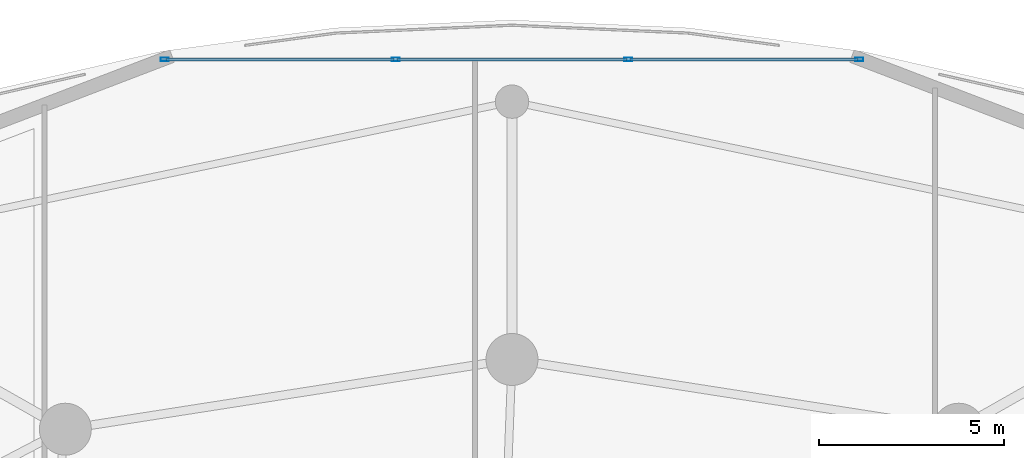
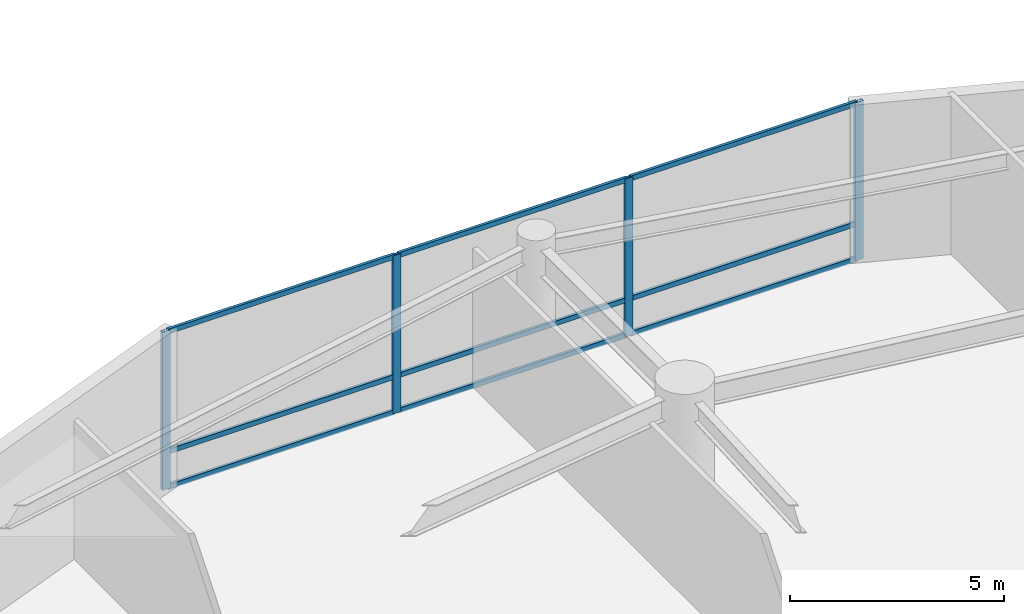
# One storey, part 22 of 40: 13 members, 1 element without a shape of its own.
"""IFC4 building model written with IfcOpenShell, lengths in metres."""

from ifc_helpers import new_model, si_unit, direction, frame, origin, origin_2d, place, context, subcontext, project, spatial, hollow_rectangle, extrude, material, layer, layer_set, material_profile, profile_set, type_object, element, aggregate, save


model = new_model("IFC4")

# Units and contexts
model_context = context("Model", 3, precision=1e-05, world=origin(), true_north=direction((0.0, 1.0)))
body_context = subcontext(model_context, "Body", "Model", "MODEL_VIEW")
ifc_project = project(units=[si_unit("LENGTHUNIT", "METRE"), si_unit("AREAUNIT", "SQUARE_METRE"), si_unit("VOLUMEUNIT", "CUBIC_METRE"), si_unit("PLANEANGLEUNIT", "RADIAN"), si_unit("MASSUNIT", "GRAM", prefix="KILO")], contexts=[model_context])

# Site, building, storey
site_placement = place(None, origin())
site = spatial("IfcSite", under=ifc_project, at=site_placement, CompositionType="ELEMENT")
building_placement = place(site_placement, origin())
building = spatial("IfcBuilding", under=site, at=building_placement, Name="Kazevale Care Tower and Concert Hall", CompositionType="ELEMENT")
storey_placement = place(building_placement, frame((0.0, 0.0, 9.60009765625)))
storey = spatial("IfcBuildingStorey", under=building, at=storey_placement, Name="L02", CompositionType="ELEMENT", Elevation=9.60009765625)

# Curtain wall, members
ifc_material_1 = material(Name="Aluminium 6063-T6 and Low-E Glass", Category="aluminium")
ifc_layer = layer(ifc_material_1, 0.179931640625)
ifc_layer_set = layer_set([ifc_layer], Name="Aluminium 6063-T6 and Low-E Glass")
curtain_wall_type = type_object("IfcCurtainWallType", Name="Podium Double-Skin Medical Curtain Wall CW-1", PredefinedType="NOTDEFINED", material=ifc_layer_set)
curtain_wall_placement = place(storey_placement, origin())
curtain_wall = element("IfcCurtainWall", 1, at=curtain_wall_placement, inside=storey, type_object=curtain_wall_type, Name="cw:L02:pod:04", PredefinedType="NOTDEFINED")
ifc_material_2 = material(Name="Aluminium 6063-T6", Category="aluminium")
ifc_material_profile_1 = material_profile(ifc_material_2, hollow_rectangle(XDim=0.090087890625, YDim=0.219970703125, WallThickness=0.0048828125, at=origin_2d()), Name="ALU90x220x5")
ifc_profile_set_1 = profile_set([ifc_material_profile_1], Name="Aluminium 6063-T6")
member_type_1 = type_object("IfcMemberType", Name="CW-1 Mullion ALU90x220x5", PredefinedType="MULLION", material=ifc_profile_set_1)
member_1_placement = place(storey_placement, frame((54.363037109375, 70.738037109375, 0.0), z_axis=(0.0, 0.0, 1.0), x_axis=(0.0, -1.0, 0.0)))
member_1 = element("IfcMember", 2, at=member_1_placement, type_object=member_type_1, Name="CW-1 mullion 1", PredefinedType="MULLION", context=body_context, shape_type="SweptSolid", body=[
    extrude(hollow_rectangle(XDim=0.090087890625, YDim=0.219970703125, WallThickness=0.0048828125, at=origin_2d()), origin(), (0.0, 0.0, 1.0), 4.52001953125),
])
member_2_placement = place(storey_placement, frame((48.135986328125, 70.738037109375, 0.0), z_axis=(0.0, 0.0, 1.0), x_axis=(0.0, -1.0, 0.0)))
member_2 = element("IfcMember", 3, at=member_2_placement, type_object=member_type_1, Name="CW-1 mullion 2", PredefinedType="MULLION", context=body_context, shape_type="SweptSolid", body=[
    extrude(hollow_rectangle(XDim=0.090087890625, YDim=0.219970703125, WallThickness=0.0048828125, at=origin_2d()), origin(), (0.0, 0.0, 1.0), 4.52001953125),
])
member_3_placement = place(storey_placement, frame((41.864013671875, 70.738037109375, 0.0), z_axis=(0.0, 0.0, 1.0), x_axis=(0.0, -1.0, 0.0)))
member_3 = element("IfcMember", 4, at=member_3_placement, type_object=member_type_1, Name="CW-1 mullion 3", PredefinedType="MULLION", context=body_context, shape_type="SweptSolid", body=[
    extrude(hollow_rectangle(XDim=0.090087890625, YDim=0.219970703125, WallThickness=0.0048828125, at=origin_2d()), origin(), (0.0, 0.0, 1.0), 4.52001953125),
])
member_4_placement = place(storey_placement, frame((35.636962890625, 70.738037109375, 0.0), z_axis=(0.0, 0.0, 1.0), x_axis=(0.0, -1.0, 0.0)))
member_4 = element("IfcMember", 5, at=member_4_placement, type_object=member_type_1, Name="CW-1 mullion 4", PredefinedType="MULLION", context=body_context, shape_type="SweptSolid", body=[
    extrude(hollow_rectangle(XDim=0.090087890625, YDim=0.219970703125, WallThickness=0.0048828125, at=origin_2d()), origin(), (0.0, 0.0, 1.0), 4.52001953125),
])
ifc_material_profile_2 = material_profile(ifc_material_2, hollow_rectangle(XDim=0.080078125, YDim=0.139892578125, WallThickness=0.00390625, at=origin_2d()), Name="ALU80x140x4")
ifc_profile_set_2 = profile_set([ifc_material_profile_2], Name="Aluminium 6063-T6")
member_type_2 = type_object("IfcMemberType", Name="CW-1 Transom ALU80x140x4", PredefinedType="USERDEFINED", material=ifc_profile_set_2)
member_5_placement = place(storey_placement, frame((54.318115234375, 70.738037109375, 0.039794921875), z_axis=(-1.0, 0.0, 0.0), x_axis=(0.0, -1.0, 0.0)))
member_5 = element("IfcMember", 6, at=member_5_placement, type_object=member_type_2, Name="CW-1 transom 1.1", ObjectType="TRANSOM", PredefinedType="USERDEFINED", context=body_context, shape_type="SweptSolid", body=[
    extrude(hollow_rectangle(XDim=0.080078125, YDim=0.139892578125, WallThickness=0.00390625, at=origin_2d()), origin(), (0.0, 0.0, 1.0), 6.13720703125),
])
member_6_placement = place(storey_placement, frame((54.318115234375, 70.738037109375, 1.0498046875), z_axis=(-1.0, 0.0, 0.0), x_axis=(0.0, -1.0, 0.0)))
member_6 = element("IfcMember", 7, at=member_6_placement, type_object=member_type_2, Name="CW-1 transom 1.2", ObjectType="TRANSOM", PredefinedType="USERDEFINED", context=body_context, shape_type="SweptSolid", body=[
    extrude(hollow_rectangle(XDim=0.080078125, YDim=0.139892578125, WallThickness=0.00390625, at=origin_2d()), origin(), (0.0, 0.0, 1.0), 6.13720703125),
])
member_7_placement = place(storey_placement, frame((54.318115234375, 70.738037109375, 4.47998046875), z_axis=(-1.0, 0.0, 0.0), x_axis=(0.0, -1.0, 0.0)))
member_7 = element("IfcMember", 8, at=member_7_placement, type_object=member_type_2, Name="CW-1 transom 1.3", ObjectType="TRANSOM", PredefinedType="USERDEFINED", context=body_context, shape_type="SweptSolid", body=[
    extrude(hollow_rectangle(XDim=0.080078125, YDim=0.139892578125, WallThickness=0.00390625, at=origin_2d()), origin(), (0.0, 0.0, 1.0), 6.13720703125),
])
member_8_placement = place(storey_placement, frame((48.091064453125, 70.738037109375, 0.039794921875), z_axis=(-1.0, 0.0, 0.0), x_axis=(0.0, -1.0, 0.0)))
member_8 = element("IfcMember", 9, at=member_8_placement, type_object=member_type_2, Name="CW-1 transom 2.1", ObjectType="TRANSOM", PredefinedType="USERDEFINED", context=body_context, shape_type="SweptSolid", body=[
    extrude(hollow_rectangle(XDim=0.080078125, YDim=0.139892578125, WallThickness=0.00390625, at=origin_2d()), origin(), (0.0, 0.0, 1.0), 6.18212890625),
])
member_9_placement = place(storey_placement, frame((48.091064453125, 70.738037109375, 1.0498046875), z_axis=(-1.0, 0.0, 0.0), x_axis=(0.0, -1.0, 0.0)))
member_9 = element("IfcMember", 10, at=member_9_placement, type_object=member_type_2, Name="CW-1 transom 2.2", ObjectType="TRANSOM", PredefinedType="USERDEFINED", context=body_context, shape_type="SweptSolid", body=[
    extrude(hollow_rectangle(XDim=0.080078125, YDim=0.139892578125, WallThickness=0.00390625, at=origin_2d()), origin(), (0.0, 0.0, 1.0), 6.18212890625),
])
member_10_placement = place(storey_placement, frame((48.091064453125, 70.738037109375, 4.47998046875), z_axis=(-1.0, 0.0, 0.0), x_axis=(0.0, -1.0, 0.0)))
member_10 = element("IfcMember", 11, at=member_10_placement, type_object=member_type_2, Name="CW-1 transom 2.3", ObjectType="TRANSOM", PredefinedType="USERDEFINED", context=body_context, shape_type="SweptSolid", body=[
    extrude(hollow_rectangle(XDim=0.080078125, YDim=0.139892578125, WallThickness=0.00390625, at=origin_2d()), origin(), (0.0, 0.0, 1.0), 6.18212890625),
])
member_11_placement = place(storey_placement, frame((41.819091796875, 70.738037109375, 0.039794921875), z_axis=(-1.0, 0.0, 0.0), x_axis=(0.0, -1.0, 0.0)))
member_11 = element("IfcMember", 12, at=member_11_placement, type_object=member_type_2, Name="CW-1 transom 3.1", ObjectType="TRANSOM", PredefinedType="USERDEFINED", context=body_context, shape_type="SweptSolid", body=[
    extrude(hollow_rectangle(XDim=0.080078125, YDim=0.139892578125, WallThickness=0.00390625, at=origin_2d()), origin(), (0.0, 0.0, 1.0), 6.13720703125),
])
member_12_placement = place(storey_placement, frame((41.819091796875, 70.738037109375, 1.0498046875), z_axis=(-1.0, 0.0, 0.0), x_axis=(0.0, -1.0, 0.0)))
member_12 = element("IfcMember", 13, at=member_12_placement, type_object=member_type_2, Name="CW-1 transom 3.2", ObjectType="TRANSOM", PredefinedType="USERDEFINED", context=body_context, shape_type="SweptSolid", body=[
    extrude(hollow_rectangle(XDim=0.080078125, YDim=0.139892578125, WallThickness=0.00390625, at=origin_2d()), origin(), (0.0, 0.0, 1.0), 6.13720703125),
])
member_13_placement = place(storey_placement, frame((41.819091796875, 70.738037109375, 4.47998046875), z_axis=(-1.0, 0.0, 0.0), x_axis=(0.0, -1.0, 0.0)))
member_13 = element("IfcMember", 14, at=member_13_placement, type_object=member_type_2, Name="CW-1 transom 3.3", ObjectType="TRANSOM", PredefinedType="USERDEFINED", context=body_context, shape_type="SweptSolid", body=[
    extrude(hollow_rectangle(XDim=0.080078125, YDim=0.139892578125, WallThickness=0.00390625, at=origin_2d()), origin(), (0.0, 0.0, 1.0), 6.13720703125),
])
aggregate(curtain_wall, [member_1, member_2, member_3, member_4, member_5, member_6, member_7, member_8, member_9, member_10, member_11, member_12, member_13])

save(model, "model.ifc")
